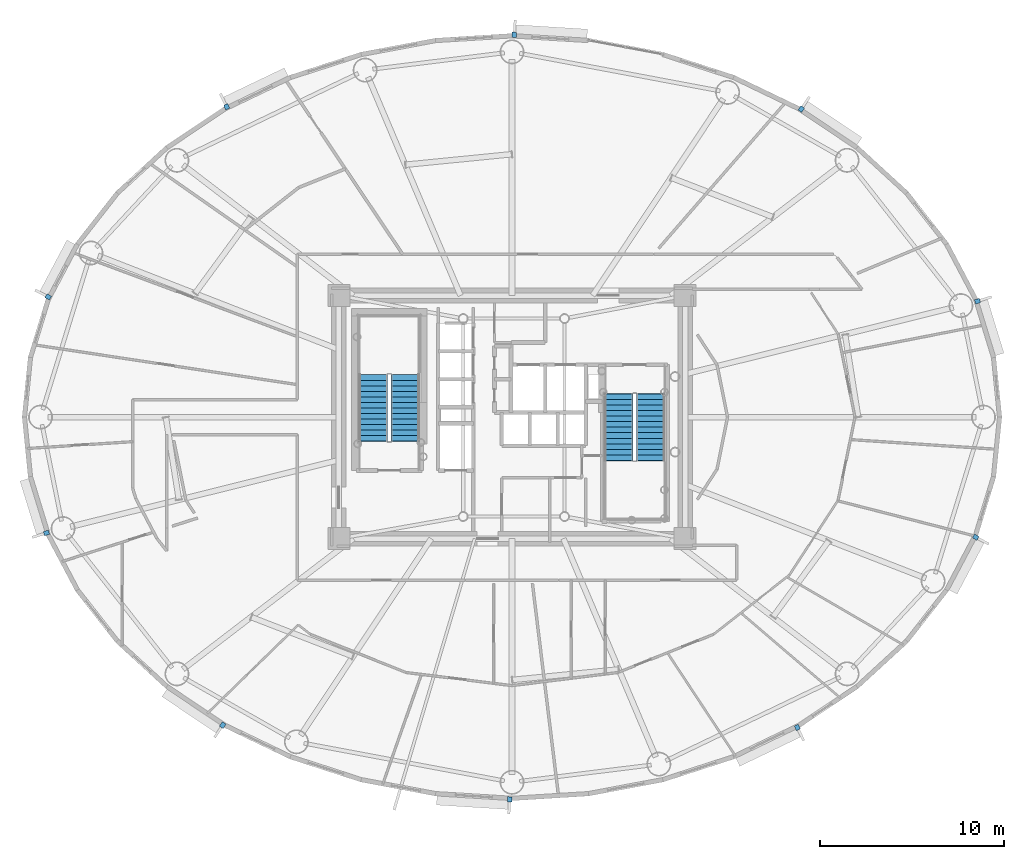
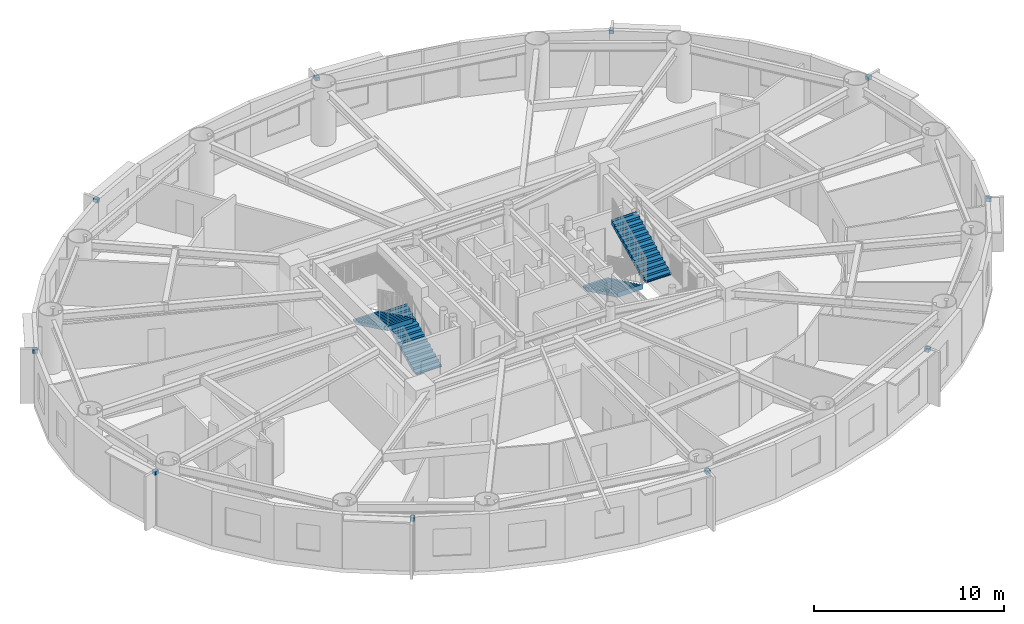
# One storey, part 15 of 21: 10 discrete accessories, 4 stair flights, 2 elements without a shape of their own.
"""IFC4 building model written with IfcOpenShell, lengths in metres."""

from ifc_helpers import new_model, si_unit, direction, frame, origin, origin_2d, place, context, subcontext, project, spatial, polyline, rectangle, outline, extrude, source, transform, mapped, material, type_object, element, aggregate, save


model = new_model("IFC4")

# Units and contexts
model_context = context("Model", 3, precision=1e-05, world=origin(), true_north=direction((0.0, 1.0)))
body_context = subcontext(model_context, "Body", "Model", "MODEL_VIEW")
ifc_project = project(units=[si_unit("LENGTHUNIT", "METRE"), si_unit("AREAUNIT", "SQUARE_METRE"), si_unit("VOLUMEUNIT", "CUBIC_METRE"), si_unit("PLANEANGLEUNIT", "RADIAN"), si_unit("MASSUNIT", "GRAM", prefix="KILO")], contexts=[model_context])

# Site, building, storey
site_placement = place(None, origin())
site = spatial("IfcSite", under=ifc_project, at=site_placement, CompositionType="ELEMENT")
building_placement = place(site_placement, origin())
building = spatial("IfcBuilding", under=site, at=building_placement, Name="Linh Dai School and Residence Tower", CompositionType="ELEMENT")
storey_placement = place(building_placement, frame((0.0, 0.0, 171.14990234375)))
storey = spatial("IfcBuildingStorey", under=building, at=storey_placement, Name="L41", CompositionType="ELEMENT", Elevation=171.14990234375)

# Stair, stair flights
ifc_material_1 = material(Name="Concrete B45 (C35/45)", Category="concrete")
stair_type = type_object("IfcStairType", Name="ST-DOG-1550-R1442", PredefinedType="HALF_TURN_STAIR", material=ifc_material_1)
stair_1_placement = place(storey_placement, origin())
stair_1 = element("IfcStair", 1, at=stair_1_placement, inside=storey, type_object=stair_type, Name="L41 Core Smokeproof Exit Stair ST1", PredefinedType="HALF_TURN_STAIR")
stair_flight_type = type_object("IfcStairFlightType", Name="STF-STR-1550-R1442", PredefinedType="STRAIGHT", material=ifc_material_1)
shared_shape_1 = source(origin(), body_context, "Body", "SweptSolid", [
    extrude(outline(polyline([(-0.02490234375, 0.0), (-0.02490234375, 0.06005859375), (0.0, 0.06005859375), (0.0, 0.144287109375), (0.300048828125, 0.144287109375), (0.300048828125, 0.28857421875), (0.60009765625, 0.28857421875), (0.60009765625, 0.4326171875), (0.89990234375, 0.4326171875), (0.89990234375, 0.576904296875), (1.199951171875, 0.576904296875), (1.199951171875, 0.72119140625), (1.5, 0.72119140625), (1.5, 0.865478515625), (1.800048828125, 0.865478515625), (1.800048828125, 1.009521484375), (2.10009765625, 1.009521484375), (2.10009765625, 1.15380859375), (2.39990234375, 1.15380859375), (2.39990234375, 1.298095703125), (2.699951171875, 1.298095703125), (2.699951171875, 1.4423828125), (3.0, 1.4423828125), (3.0, 1.58642578125), (3.300048828125, 1.58642578125), (3.300048828125, 1.730712890625), (3.60009765625, 1.730712890625), (3.60009765625, 1.875), (3.625, 1.875), (3.625, 1.564453125), (3.60009765625, 1.564453125), (0.345947265625, 0.0), (-0.02490234375, 0.0)])), frame((0.0, 0.77490234375, 0.0), z_axis=(0.0, -1.0, 0.0), x_axis=(1.0, 0.0, 0.0)), (0.0, 0.0, 1.0), 1.550048828125),
])
stair_flight_1_placement = place(storey_placement, frame((30.205078125, 25.699951171875, 0.0), z_axis=(0.0, 0.0, 1.0), x_axis=(0.0, 1.0, 0.0)))
stair_flight_1 = element("IfcStairFlight", 2, at=stair_flight_1_placement, type_object=stair_flight_type, Name="ST1 flight 1", NumberOfRisers=13, NumberOfTreads=12, PredefinedType="STRAIGHT", RiserHeight=0.144230769, TreadLength=0.3, context=body_context, shape_type="MappedRepresentation", body=[
    mapped(shared_shape_1, transform((0.0, 0.0, 0.0), x_axis=(1.0, 0.0, 0.0), y_axis=(0.0, 1.0, 0.0), z_axis=(0.0, 0.0, 1.0), scale=1.0)),
])
stair_flight_2_placement = place(storey_placement, frame((28.455078125, 29.300048828125, 1.875), z_axis=(0.0, 0.0, 1.0), x_axis=(0.0, -1.0, 0.0)))
stair_flight_2 = element("IfcStairFlight", 3, at=stair_flight_2_placement, type_object=stair_flight_type, Name="ST1 flight 2", NumberOfRisers=13, NumberOfTreads=12, PredefinedType="STRAIGHT", RiserHeight=0.144230769, TreadLength=0.3, context=body_context, shape_type="MappedRepresentation", body=[
    mapped(shared_shape_1, transform((0.0, 0.0, 0.0), x_axis=(1.0, 0.0, 0.0), y_axis=(0.0, 1.0, 0.0), z_axis=(0.0, 0.0, 1.0), scale=1.0)),
])
aggregate(stair_1, [stair_flight_1, stair_flight_2])

stair_2_placement = place(storey_placement, origin())
stair_2 = element("IfcStair", 4, at=stair_2_placement, inside=storey, type_object=stair_type, Name="L41 Core Smokeproof Exit Stair ST2", PredefinedType="HALF_TURN_STAIR")
stair_flight_3_placement = place(storey_placement, frame((41.794921875, 28.25, 0.0), z_axis=(0.0, 0.0, 1.0), x_axis=(0.0, -1.0, 0.0)))
stair_flight_3 = element("IfcStairFlight", 5, at=stair_flight_3_placement, type_object=stair_flight_type, Name="ST2 flight 1", NumberOfRisers=13, NumberOfTreads=12, PredefinedType="STRAIGHT", RiserHeight=0.144230769, TreadLength=0.3, context=body_context, shape_type="MappedRepresentation", body=[
    mapped(shared_shape_1, transform((0.0, 0.0, 0.0), x_axis=(1.0, 0.0, 0.0), y_axis=(0.0, 1.0, 0.0), z_axis=(0.0, 0.0, 1.0), scale=1.0)),
])
stair_flight_4_placement = place(storey_placement, frame((43.544921875, 24.64990234375, 1.875), z_axis=(0.0, 0.0, 1.0), x_axis=(0.0, 1.0, 0.0)))
stair_flight_4 = element("IfcStairFlight", 6, at=stair_flight_4_placement, type_object=stair_flight_type, Name="ST2 flight 2", NumberOfRisers=13, NumberOfTreads=12, PredefinedType="STRAIGHT", RiserHeight=0.144230769, TreadLength=0.3, context=body_context, shape_type="MappedRepresentation", body=[
    mapped(shared_shape_1, transform((0.0, 0.0, 0.0), x_axis=(1.0, 0.0, 0.0), y_axis=(0.0, 1.0, 0.0), z_axis=(0.0, 0.0, 1.0), scale=1.0)),
])
aggregate(stair_2, [stair_flight_3, stair_flight_4])

# Discrete accessories
ifc_material_2 = material(Name="Structural Steel S355JR", Category="steel")
discrete_accessory_type = type_object("IfcDiscreteAccessoryType", Name="ACC-BRK-S355", PredefinedType="BRACKET", material=ifc_material_2)
shared_shape_2 = source(origin(), body_context, "Body", "SweptSolid", [
    extrude(rectangle(XDim=0.280029296875, YDim=0.239990234375, at=origin_2d()), origin(), (0.0, 0.0, 1.0), 0.219970703125),
])
for number, where, z_axis, x_axis, name in (
    (7, (61.275146484375, 33.291748046875, 3.25), (0.0, 0.0, 1.0), (0.956075055167, 0.293121969301, 0.0), "L41 Facade Frame Anchor Bracket 02"),
    (8, (51.706298828125, 43.726318359375, 3.25), (0.0, 0.0, 1.0), (0.555931154932, 0.831228338651, 0.0), "L41 Facade Frame Anchor Bracket 06"),
    (9, (36.12353515625, 47.757568359375, 3.25), (0.0, 0.0, 1.0), (0.061512376467, 0.99810632076, 0.0), "L41 Facade Frame Anchor Bracket 10"),
    (10, (20.509033203125, 43.84912109375, 3.25), (0.0, 0.0, 1.0), (-0.432634701653, 0.901569306779, 0.0), "L41 Facade Frame Anchor Bracket 14"),
    (11, (10.8203125, 33.52294921875, 3.25), (0.0, 0.0, 1.0), (-0.883950726378, 0.467580060884, 0.0), "L41 Facade Frame Anchor Bracket 18"),
    (12, (10.724853515625, 20.708251953125, 3.25), (0.0, 0.0, 1.0), (-0.956075055167, -0.293121969301, 0.0), "L41 Facade Frame Anchor Bracket 22"),
    (13, (20.293701171875, 10.273681640625, 3.25), (0.0, 0.0, 1.0), (-0.555931154932, -0.831228338651, 0.0), "L41 Facade Frame Anchor Bracket 26"),
    (14, (35.87646484375, 6.242431640625, 3.25), (0.0, 0.0, 1.0), (-0.061512376467, -0.99810632076, 0.0), "L41 Facade Frame Anchor Bracket 30"),
    (15, (51.490966796875, 10.15087890625, 3.25), (0.0, 0.0, 1.0), (0.432634701653, -0.901569306779, 0.0), "L41 Facade Frame Anchor Bracket 34"),
    (16, (61.1796875, 20.47705078125, 3.25), (0.0, 0.0, 1.0), (0.883950726378, -0.467580060884, 0.0), "L41 Facade Frame Anchor Bracket 38"),
):
    element("IfcDiscreteAccessory", number, at=place(storey_placement, frame(where, z_axis=z_axis, x_axis=x_axis)), inside=storey, type_object=discrete_accessory_type, Name=name, PredefinedType="BRACKET", context=body_context, shape_type="MappedRepresentation", body=[
        mapped(shared_shape_2, transform((0.0, 0.0, 0.0), x_axis=(1.0, 0.0, 0.0), y_axis=(0.0, 1.0, 0.0), z_axis=(0.0, 0.0, 1.0), scale=1.0)),
    ])

save(model, "model.ifc")
